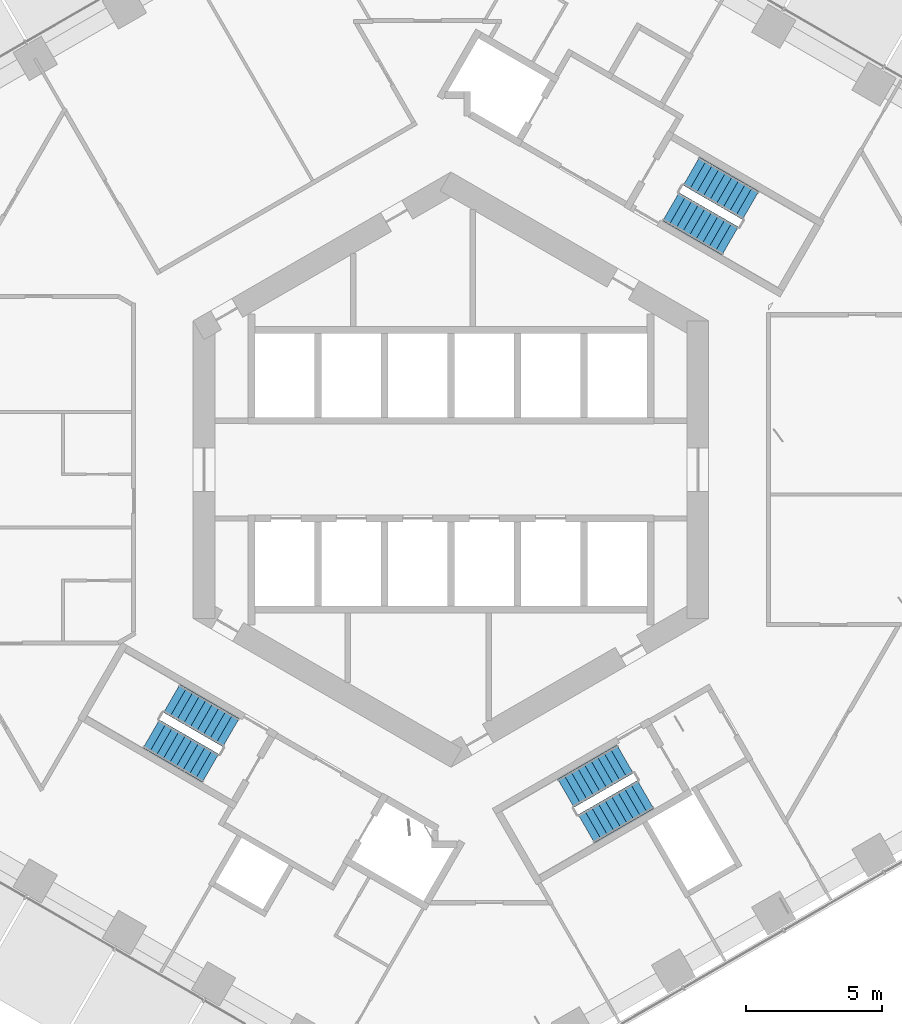
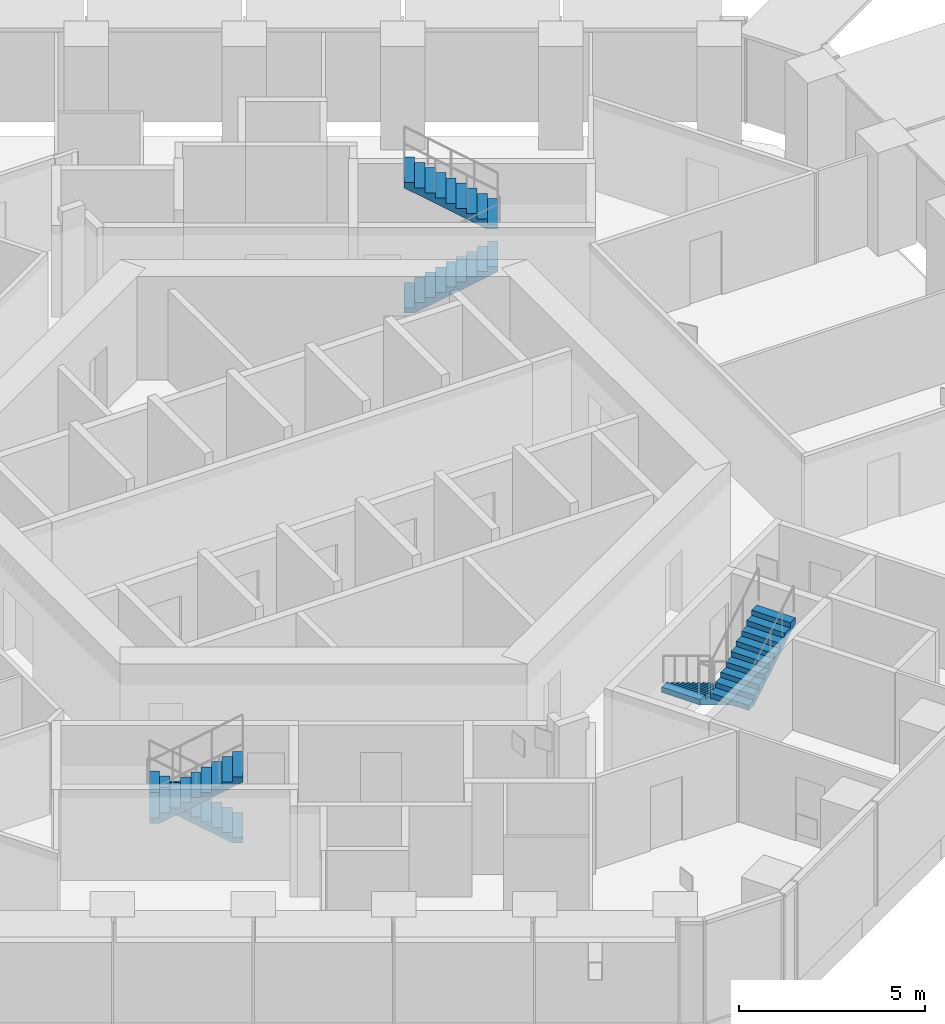
# One storey, part 19 of 22: 6 stair flights, 3 elements without a shape of their own.
"""IFC4 building model written with IfcOpenShell, lengths in metres."""

from ifc_helpers import new_model, si_unit, direction, frame, origin, place, context, subcontext, project, spatial, triangles, material, type_object, element, aggregate, save


model = new_model("IFC4")

# Units and contexts
model_context = context("Model", 3, precision=1e-05, world=origin(), true_north=direction((0.0, 1.0)))
body_context = subcontext(model_context, "Body", "Model", "MODEL_VIEW")
ifc_project = project(units=[si_unit("LENGTHUNIT", "METRE"), si_unit("AREAUNIT", "SQUARE_METRE"), si_unit("VOLUMEUNIT", "CUBIC_METRE"), si_unit("PLANEANGLEUNIT", "RADIAN"), si_unit("MASSUNIT", "GRAM", prefix="KILO")], contexts=[model_context])

# Site, building, storey
site_placement = place(None, origin())
site = spatial("IfcSite", under=ifc_project, at=site_placement, CompositionType="ELEMENT")
building_placement = place(site_placement, origin())
building = spatial("IfcBuilding", under=site, at=building_placement, Name="Ayvan Gate Tower", CompositionType="ELEMENT")
storey_placement = place(building_placement, frame((0.0, 0.0, 62.89990234375)))
storey = spatial("IfcBuildingStorey", under=building, at=storey_placement, Name="L16", CompositionType="ELEMENT", Elevation=62.89990234375)

# Stair, stair flights
ifc_material = material(Name="Concrete C40/50", Category="concrete")
stair_type = type_object("IfcStairType", Name="ST-EXIT", PredefinedType="HALF_TURN_STAIR", material=ifc_material)
stair_1_placement = place(storey_placement, origin())
stair_1 = element("IfcStair", 1, at=stair_1_placement, inside=storey, type_object=stair_type, Name="L16 Exit Stair S1", PredefinedType="HALF_TURN_STAIR")
stair_flight_type = type_object("IfcStairFlightType", Name="SFL-EXIT", PredefinedType="STRAIGHT", material=ifc_material)
stair_flight_1_placement = place(storey_placement, frame((8.106201171875, 9.690185546875, 0.0), z_axis=(0.0, 0.0, 1.0), x_axis=(0.866025403784, -0.5, 0.0)))
stair_flight_1 = element("IfcStairFlight", 2, at=stair_flight_1_placement, type_object=stair_flight_type, Name="STS1 flight 1", NumberOfRisers=10, NumberOfTreads=9, PredefinedType="STRAIGHT", RiserHeight=0.17, TreadLength=0.28, context=body_context, shape_type="Tessellation", body=[
    triangles([(0.288841, -0.599976, 0.0), (2.5205, -0.599976, 1.354936), (2.5205, -0.599976, 1.53), (2.24, -0.599976, 1.53), (2.24, -0.599976, 1.36), (1.96, -0.599976, 1.36), (1.96, -0.599976, 1.19), (1.68, -0.599976, 1.19), (1.68, -0.599976, 1.02), (1.4, -0.599976, 1.02), (1.4, -0.599976, 0.85), (1.12, -0.599976, 0.85), (1.12, -0.599976, 0.68), (0.84, -0.599976, 0.68), (0.84, -0.599976, 0.51), (0.56, -0.599976, 0.51), (0.56, -0.599976, 0.34), (0.28, -0.599976, 0.34), (0.28, -0.599976, 0.17), (-0.0005, -0.599976, 0.17), (-0.0005, -0.599976, 0.0), (0.288841, 0.0, 0.0), (2.5205, 0.0, 1.354936), (2.5205, 0.0, 1.53), (2.24, 0.0, 1.53), (2.24, 0.0, 1.36), (1.96, 0.0, 1.36), (1.96, 0.0, 1.19), (1.68, 0.0, 1.19), (1.68, 0.0, 1.02), (1.4, 0.0, 1.02), (1.4, 0.0, 0.85), (1.12, 0.0, 0.85), (1.12, 0.0, 0.68), (0.84, 0.0, 0.68), (0.84, 0.0, 0.51), (0.56, 0.0, 0.51), (0.56, 0.0, 0.34), (0.28, 0.0, 0.34), (0.28, 0.0, 0.17), (-0.0005, 0.0, 0.17), (-0.0005, 0.0, 0.0), (0.288841, 0.599976, 0.0), (2.5205, 0.599976, 1.354936), (2.5205, 0.599976, 1.53), (2.24, 0.599976, 1.53), (2.24, 0.599976, 1.36), (1.96, 0.599976, 1.36), (1.96, 0.599976, 1.19), (1.68, 0.599976, 1.19), (1.68, 0.599976, 1.02), (1.4, 0.599976, 1.02), (1.4, 0.599976, 0.85), (1.12, 0.599976, 0.85), (1.12, 0.599976, 0.68), (0.84, 0.599976, 0.68), (0.84, 0.599976, 0.51), (0.56, 0.599976, 0.51), (0.56, 0.599976, 0.34), (0.28, 0.599976, 0.34), (0.28, 0.599976, 0.17), (-0.0005, 0.599976, 0.17), (-0.0005, 0.599976, 0.0)], [[21, 1, 2], [63, 44, 43], [2, 3, 4], [44, 46, 45], [2, 4, 5], [44, 47, 46], [2, 5, 6], [44, 48, 47], [2, 6, 7], [44, 49, 48], [7, 8, 9], [49, 51, 50], [2, 7, 9], [44, 51, 49], [9, 10, 11], [51, 53, 52], [2, 9, 11], [44, 53, 51], [11, 12, 13], [53, 55, 54], [2, 11, 13], [44, 55, 53], [13, 14, 15], [55, 57, 56], [2, 13, 15], [44, 57, 55], [15, 16, 17], [57, 59, 58], [2, 15, 17], [44, 59, 57], [17, 18, 19], [59, 61, 60], [2, 17, 19], [44, 61, 59], [21, 2, 19], [63, 61, 44], [19, 20, 21], [61, 63, 62], [1, 22, 23], [1, 23, 2], [43, 23, 22], [43, 44, 23], [2, 23, 24], [2, 24, 3], [44, 24, 23], [44, 45, 24], [3, 24, 25], [3, 25, 4], [45, 25, 24], [45, 46, 25], [4, 25, 26], [4, 26, 5], [46, 26, 25], [46, 47, 26], [5, 26, 27], [5, 27, 6], [47, 27, 26], [47, 48, 27], [6, 27, 28], [6, 28, 7], [48, 28, 27], [48, 49, 28], [7, 28, 29], [7, 29, 8], [49, 29, 28], [49, 50, 29], [8, 29, 30], [8, 30, 9], [50, 30, 29], [50, 51, 30], [9, 30, 31], [9, 31, 10], [51, 31, 30], [51, 52, 31], [10, 31, 32], [10, 32, 11], [52, 32, 31], [52, 53, 32], [11, 32, 33], [11, 33, 12], [53, 33, 32], [53, 54, 33], [12, 33, 34], [12, 34, 13], [54, 34, 33], [54, 55, 34], [13, 34, 35], [13, 35, 14], [55, 35, 34], [55, 56, 35], [14, 35, 36], [14, 36, 15], [56, 36, 35], [56, 57, 36], [15, 36, 37], [15, 37, 16], [57, 37, 36], [57, 58, 37], [16, 37, 38], [16, 38, 17], [58, 38, 37], [58, 59, 38], [17, 38, 39], [17, 39, 18], [59, 39, 38], [59, 60, 39], [18, 39, 40], [18, 40, 19], [60, 40, 39], [60, 61, 40], [19, 40, 41], [19, 41, 20], [61, 41, 40], [61, 62, 41], [20, 41, 42], [20, 42, 21], [62, 42, 41], [62, 63, 42], [21, 42, 22], [21, 22, 1], [63, 22, 42], [63, 43, 22]], closed=True),
])
stair_flight_2_placement = place(storey_placement, frame((11.04345703125, 9.73779296875, 1.7001953125), z_axis=(0.0, 0.0, 1.0), x_axis=(-0.866025403784, 0.5, 0.0)))
stair_flight_2 = element("IfcStairFlight", 3, at=stair_flight_2_placement, type_object=stair_flight_type, Name="STS1 flight 2", NumberOfRisers=10, NumberOfTreads=9, PredefinedType="STRAIGHT", RiserHeight=0.17, TreadLength=0.28, context=body_context, shape_type="Tessellation", body=[
    triangles([(0.288841, -0.599976, 0.0), (2.5205, -0.599976, 1.354936), (2.5205, -0.599976, 1.53), (2.24, -0.599976, 1.53), (2.24, -0.599976, 1.36), (1.96, -0.599976, 1.36), (1.96, -0.599976, 1.19), (1.68, -0.599976, 1.19), (1.68, -0.599976, 1.02), (1.4, -0.599976, 1.02), (1.4, -0.599976, 0.85), (1.12, -0.599976, 0.85), (1.12, -0.599976, 0.68), (0.84, -0.599976, 0.68), (0.84, -0.599976, 0.51), (0.56, -0.599976, 0.51), (0.56, -0.599976, 0.34), (0.28, -0.599976, 0.34), (0.28, -0.599976, 0.17), (-0.0005, -0.599976, 0.17), (-0.0005, -0.599976, 0.0), (0.288841, 0.0, 0.0), (2.5205, 0.0, 1.354936), (2.5205, 0.0, 1.53), (2.24, 0.0, 1.53), (2.24, 0.0, 1.36), (1.96, 0.0, 1.36), (1.96, 0.0, 1.19), (1.68, 0.0, 1.19), (1.68, 0.0, 1.02), (1.4, 0.0, 1.02), (1.4, 0.0, 0.85), (1.12, 0.0, 0.85), (1.12, 0.0, 0.68), (0.84, 0.0, 0.68), (0.84, 0.0, 0.51), (0.56, 0.0, 0.51), (0.56, 0.0, 0.34), (0.28, 0.0, 0.34), (0.28, 0.0, 0.17), (-0.0005, 0.0, 0.17), (-0.0005, 0.0, 0.0), (0.288841, 0.599976, 0.0), (2.5205, 0.599976, 1.354936), (2.5205, 0.599976, 1.53), (2.24, 0.599976, 1.53), (2.24, 0.599976, 1.36), (1.96, 0.599976, 1.36), (1.96, 0.599976, 1.19), (1.68, 0.599976, 1.19), (1.68, 0.599976, 1.02), (1.4, 0.599976, 1.02), (1.4, 0.599976, 0.85), (1.12, 0.599976, 0.85), (1.12, 0.599976, 0.68), (0.84, 0.599976, 0.68), (0.84, 0.599976, 0.51), (0.56, 0.599976, 0.51), (0.56, 0.599976, 0.34), (0.28, 0.599976, 0.34), (0.28, 0.599976, 0.17), (-0.0005, 0.599976, 0.17), (-0.0005, 0.599976, 0.0)], [[21, 1, 2], [63, 44, 43], [2, 3, 4], [44, 46, 45], [2, 4, 5], [44, 47, 46], [2, 5, 6], [44, 48, 47], [2, 6, 7], [44, 49, 48], [7, 8, 9], [49, 51, 50], [2, 7, 9], [44, 51, 49], [9, 10, 11], [51, 53, 52], [2, 9, 11], [44, 53, 51], [11, 12, 13], [53, 55, 54], [2, 11, 13], [44, 55, 53], [13, 14, 15], [55, 57, 56], [2, 13, 15], [44, 57, 55], [15, 16, 17], [57, 59, 58], [2, 15, 17], [44, 59, 57], [17, 18, 19], [59, 61, 60], [2, 17, 19], [44, 61, 59], [21, 2, 19], [63, 61, 44], [19, 20, 21], [61, 63, 62], [1, 22, 23], [1, 23, 2], [43, 23, 22], [43, 44, 23], [2, 23, 24], [2, 24, 3], [44, 24, 23], [44, 45, 24], [3, 24, 25], [3, 25, 4], [45, 25, 24], [45, 46, 25], [4, 25, 26], [4, 26, 5], [46, 26, 25], [46, 47, 26], [5, 26, 27], [5, 27, 6], [47, 27, 26], [47, 48, 27], [6, 27, 28], [6, 28, 7], [48, 28, 27], [48, 49, 28], [7, 28, 29], [7, 29, 8], [49, 29, 28], [49, 50, 29], [8, 29, 30], [8, 30, 9], [50, 30, 29], [50, 51, 30], [9, 30, 31], [9, 31, 10], [51, 31, 30], [51, 52, 31], [10, 31, 32], [10, 32, 11], [52, 32, 31], [52, 53, 32], [11, 32, 33], [11, 33, 12], [53, 33, 32], [53, 54, 33], [12, 33, 34], [12, 34, 13], [54, 34, 33], [54, 55, 34], [13, 34, 35], [13, 35, 14], [55, 35, 34], [55, 56, 35], [14, 35, 36], [14, 36, 15], [56, 36, 35], [56, 57, 36], [15, 36, 37], [15, 37, 16], [57, 37, 36], [57, 58, 37], [16, 37, 38], [16, 38, 17], [58, 38, 37], [58, 59, 38], [17, 38, 39], [17, 39, 18], [59, 39, 38], [59, 60, 39], [18, 39, 40], [18, 40, 19], [60, 40, 39], [60, 61, 40], [19, 40, 41], [19, 41, 20], [61, 41, 40], [61, 62, 41], [20, 41, 42], [20, 42, 21], [62, 42, 41], [62, 63, 42], [21, 42, 22], [21, 22, 1], [63, 22, 42], [63, 43, 22]], closed=True),
])
aggregate(stair_1, [stair_flight_1, stair_flight_2])

stair_2_placement = place(storey_placement, origin())
stair_2 = element("IfcStair", 4, at=stair_2_placement, inside=storey, type_object=stair_type, Name="L16 Exit Stair S2", PredefinedType="HALF_TURN_STAIR")
stair_flight_3_placement = place(storey_placement, frame((-8.106201171875, -9.690185546875, 0.0), z_axis=(0.0, 0.0, 1.0), x_axis=(-0.866025403784, 0.5, 0.0)))
stair_flight_3 = element("IfcStairFlight", 5, at=stair_flight_3_placement, type_object=stair_flight_type, Name="STS2 flight 1", NumberOfRisers=10, NumberOfTreads=9, PredefinedType="STRAIGHT", RiserHeight=0.17, TreadLength=0.28, context=body_context, shape_type="Tessellation", body=[
    triangles([(0.288841, -0.599976, 0.0), (2.5205, -0.599976, 1.354936), (2.5205, -0.599976, 1.53), (2.24, -0.599976, 1.53), (2.24, -0.599976, 1.36), (1.96, -0.599976, 1.36), (1.96, -0.599976, 1.19), (1.68, -0.599976, 1.19), (1.68, -0.599976, 1.02), (1.4, -0.599976, 1.02), (1.4, -0.599976, 0.85), (1.12, -0.599976, 0.85), (1.12, -0.599976, 0.68), (0.84, -0.599976, 0.68), (0.84, -0.599976, 0.51), (0.56, -0.599976, 0.51), (0.56, -0.599976, 0.34), (0.28, -0.599976, 0.34), (0.28, -0.599976, 0.17), (-0.0005, -0.599976, 0.17), (-0.0005, -0.599976, 0.0), (0.288841, 0.0, 0.0), (2.5205, 0.0, 1.354936), (2.5205, 0.0, 1.53), (2.24, 0.0, 1.53), (2.24, 0.0, 1.36), (1.96, 0.0, 1.36), (1.96, 0.0, 1.19), (1.68, 0.0, 1.19), (1.68, 0.0, 1.02), (1.4, 0.0, 1.02), (1.4, 0.0, 0.85), (1.12, 0.0, 0.85), (1.12, 0.0, 0.68), (0.84, 0.0, 0.68), (0.84, 0.0, 0.51), (0.56, 0.0, 0.51), (0.56, 0.0, 0.34), (0.28, 0.0, 0.34), (0.28, 0.0, 0.17), (-0.0005, 0.0, 0.17), (-0.0005, 0.0, 0.0), (0.288841, 0.599976, 0.0), (2.5205, 0.599976, 1.354936), (2.5205, 0.599976, 1.53), (2.24, 0.599976, 1.53), (2.24, 0.599976, 1.36), (1.96, 0.599976, 1.36), (1.96, 0.599976, 1.19), (1.68, 0.599976, 1.19), (1.68, 0.599976, 1.02), (1.4, 0.599976, 1.02), (1.4, 0.599976, 0.85), (1.12, 0.599976, 0.85), (1.12, 0.599976, 0.68), (0.84, 0.599976, 0.68), (0.84, 0.599976, 0.51), (0.56, 0.599976, 0.51), (0.56, 0.599976, 0.34), (0.28, 0.599976, 0.34), (0.28, 0.599976, 0.17), (-0.0005, 0.599976, 0.17), (-0.0005, 0.599976, 0.0)], [[21, 1, 2], [63, 44, 43], [2, 3, 4], [44, 46, 45], [2, 4, 5], [44, 47, 46], [2, 5, 6], [44, 48, 47], [2, 6, 7], [44, 49, 48], [7, 8, 9], [49, 51, 50], [2, 7, 9], [44, 51, 49], [9, 10, 11], [51, 53, 52], [2, 9, 11], [44, 53, 51], [11, 12, 13], [53, 55, 54], [2, 11, 13], [44, 55, 53], [13, 14, 15], [55, 57, 56], [2, 13, 15], [44, 57, 55], [15, 16, 17], [57, 59, 58], [2, 15, 17], [44, 59, 57], [17, 18, 19], [59, 61, 60], [2, 17, 19], [44, 61, 59], [21, 2, 19], [63, 61, 44], [19, 20, 21], [61, 63, 62], [1, 22, 23], [1, 23, 2], [43, 23, 22], [43, 44, 23], [2, 23, 24], [2, 24, 3], [44, 24, 23], [44, 45, 24], [3, 24, 25], [3, 25, 4], [45, 25, 24], [45, 46, 25], [4, 25, 26], [4, 26, 5], [46, 26, 25], [46, 47, 26], [5, 26, 27], [5, 27, 6], [47, 27, 26], [47, 48, 27], [6, 27, 28], [6, 28, 7], [48, 28, 27], [48, 49, 28], [7, 28, 29], [7, 29, 8], [49, 29, 28], [49, 50, 29], [8, 29, 30], [8, 30, 9], [50, 30, 29], [50, 51, 30], [9, 30, 31], [9, 31, 10], [51, 31, 30], [51, 52, 31], [10, 31, 32], [10, 32, 11], [52, 32, 31], [52, 53, 32], [11, 32, 33], [11, 33, 12], [53, 33, 32], [53, 54, 33], [12, 33, 34], [12, 34, 13], [54, 34, 33], [54, 55, 34], [13, 34, 35], [13, 35, 14], [55, 35, 34], [55, 56, 35], [14, 35, 36], [14, 36, 15], [56, 36, 35], [56, 57, 36], [15, 36, 37], [15, 37, 16], [57, 37, 36], [57, 58, 37], [16, 37, 38], [16, 38, 17], [58, 38, 37], [58, 59, 38], [17, 38, 39], [17, 39, 18], [59, 39, 38], [59, 60, 39], [18, 39, 40], [18, 40, 19], [60, 40, 39], [60, 61, 40], [19, 40, 41], [19, 41, 20], [61, 41, 40], [61, 62, 41], [20, 41, 42], [20, 42, 21], [62, 42, 41], [62, 63, 42], [21, 42, 22], [21, 22, 1], [63, 22, 42], [63, 43, 22]], closed=True),
])
stair_flight_4_placement = place(storey_placement, frame((-11.04345703125, -9.73779296875, 1.7001953125), z_axis=(0.0, 0.0, 1.0), x_axis=(0.866025403784, -0.5, 0.0)))
stair_flight_4 = element("IfcStairFlight", 6, at=stair_flight_4_placement, type_object=stair_flight_type, Name="STS2 flight 2", NumberOfRisers=10, NumberOfTreads=9, PredefinedType="STRAIGHT", RiserHeight=0.17, TreadLength=0.28, context=body_context, shape_type="Tessellation", body=[
    triangles([(0.288841, -0.599976, 0.0), (2.5205, -0.599976, 1.354936), (2.5205, -0.599976, 1.53), (2.24, -0.599976, 1.53), (2.24, -0.599976, 1.36), (1.96, -0.599976, 1.36), (1.96, -0.599976, 1.19), (1.68, -0.599976, 1.19), (1.68, -0.599976, 1.02), (1.4, -0.599976, 1.02), (1.4, -0.599976, 0.85), (1.12, -0.599976, 0.85), (1.12, -0.599976, 0.68), (0.84, -0.599976, 0.68), (0.84, -0.599976, 0.51), (0.56, -0.599976, 0.51), (0.56, -0.599976, 0.34), (0.28, -0.599976, 0.34), (0.28, -0.599976, 0.17), (-0.0005, -0.599976, 0.17), (-0.0005, -0.599976, 0.0), (0.288841, 0.0, 0.0), (2.5205, 0.0, 1.354936), (2.5205, 0.0, 1.53), (2.24, 0.0, 1.53), (2.24, 0.0, 1.36), (1.96, 0.0, 1.36), (1.96, 0.0, 1.19), (1.68, 0.0, 1.19), (1.68, 0.0, 1.02), (1.4, 0.0, 1.02), (1.4, 0.0, 0.85), (1.12, 0.0, 0.85), (1.12, 0.0, 0.68), (0.84, 0.0, 0.68), (0.84, 0.0, 0.51), (0.56, 0.0, 0.51), (0.56, 0.0, 0.34), (0.28, 0.0, 0.34), (0.28, 0.0, 0.17), (-0.0005, 0.0, 0.17), (-0.0005, 0.0, 0.0), (0.288841, 0.599976, 0.0), (2.5205, 0.599976, 1.354936), (2.5205, 0.599976, 1.53), (2.24, 0.599976, 1.53), (2.24, 0.599976, 1.36), (1.96, 0.599976, 1.36), (1.96, 0.599976, 1.19), (1.68, 0.599976, 1.19), (1.68, 0.599976, 1.02), (1.4, 0.599976, 1.02), (1.4, 0.599976, 0.85), (1.12, 0.599976, 0.85), (1.12, 0.599976, 0.68), (0.84, 0.599976, 0.68), (0.84, 0.599976, 0.51), (0.56, 0.599976, 0.51), (0.56, 0.599976, 0.34), (0.28, 0.599976, 0.34), (0.28, 0.599976, 0.17), (-0.0005, 0.599976, 0.17), (-0.0005, 0.599976, 0.0)], [[21, 1, 2], [63, 44, 43], [2, 3, 4], [44, 46, 45], [2, 4, 5], [44, 47, 46], [2, 5, 6], [44, 48, 47], [2, 6, 7], [44, 49, 48], [7, 8, 9], [49, 51, 50], [2, 7, 9], [44, 51, 49], [9, 10, 11], [51, 53, 52], [2, 9, 11], [44, 53, 51], [11, 12, 13], [53, 55, 54], [2, 11, 13], [44, 55, 53], [13, 14, 15], [55, 57, 56], [2, 13, 15], [44, 57, 55], [15, 16, 17], [57, 59, 58], [2, 15, 17], [44, 59, 57], [17, 18, 19], [59, 61, 60], [2, 17, 19], [44, 61, 59], [21, 2, 19], [63, 61, 44], [19, 20, 21], [61, 63, 62], [1, 22, 23], [1, 23, 2], [43, 23, 22], [43, 44, 23], [2, 23, 24], [2, 24, 3], [44, 24, 23], [44, 45, 24], [3, 24, 25], [3, 25, 4], [45, 25, 24], [45, 46, 25], [4, 25, 26], [4, 26, 5], [46, 26, 25], [46, 47, 26], [5, 26, 27], [5, 27, 6], [47, 27, 26], [47, 48, 27], [6, 27, 28], [6, 28, 7], [48, 28, 27], [48, 49, 28], [7, 28, 29], [7, 29, 8], [49, 29, 28], [49, 50, 29], [8, 29, 30], [8, 30, 9], [50, 30, 29], [50, 51, 30], [9, 30, 31], [9, 31, 10], [51, 31, 30], [51, 52, 31], [10, 31, 32], [10, 32, 11], [52, 32, 31], [52, 53, 32], [11, 32, 33], [11, 33, 12], [53, 33, 32], [53, 54, 33], [12, 33, 34], [12, 34, 13], [54, 34, 33], [54, 55, 34], [13, 34, 35], [13, 35, 14], [55, 35, 34], [55, 56, 35], [14, 35, 36], [14, 36, 15], [56, 36, 35], [56, 57, 36], [15, 36, 37], [15, 37, 16], [57, 37, 36], [57, 58, 37], [16, 37, 38], [16, 38, 17], [58, 38, 37], [58, 59, 38], [17, 38, 39], [17, 39, 18], [59, 39, 38], [59, 60, 39], [18, 39, 40], [18, 40, 19], [60, 40, 39], [60, 61, 40], [19, 40, 41], [19, 41, 20], [61, 41, 40], [61, 62, 41], [20, 41, 42], [20, 42, 21], [62, 42, 41], [62, 63, 42], [21, 42, 22], [21, 22, 1], [63, 22, 42], [63, 43, 22]], closed=True),
])
aggregate(stair_2, [stair_flight_3, stair_flight_4])

stair_3_placement = place(storey_placement, origin())
stair_3 = element("IfcStair", 7, at=stair_3_placement, inside=storey, type_object=stair_type, Name="L16 Exit Stair S3", PredefinedType="HALF_TURN_STAIR")
stair_flight_5_placement = place(storey_placement, frame((6.417236328125, -10.665283203125, 0.0), z_axis=(0.0, 0.0, 1.0), x_axis=(-0.866025403784, -0.5, 0.0)))
stair_flight_5 = element("IfcStairFlight", 8, at=stair_flight_5_placement, type_object=stair_flight_type, Name="STS3 flight 1", NumberOfRisers=10, NumberOfTreads=9, PredefinedType="STRAIGHT", RiserHeight=0.17, TreadLength=0.28, context=body_context, shape_type="Tessellation", body=[
    triangles([(0.288841, -0.599976, 0.0), (2.5205, -0.599976, 1.354936), (2.5205, -0.599976, 1.53), (2.24, -0.599976, 1.53), (2.24, -0.599976, 1.36), (1.96, -0.599976, 1.36), (1.96, -0.599976, 1.19), (1.68, -0.599976, 1.19), (1.68, -0.599976, 1.02), (1.4, -0.599976, 1.02), (1.4, -0.599976, 0.85), (1.12, -0.599976, 0.85), (1.12, -0.599976, 0.68), (0.84, -0.599976, 0.68), (0.84, -0.599976, 0.51), (0.56, -0.599976, 0.51), (0.56, -0.599976, 0.34), (0.28, -0.599976, 0.34), (0.28, -0.599976, 0.17), (-0.0005, -0.599976, 0.17), (-0.0005, -0.599976, 0.0), (0.288841, 0.0, 0.0), (2.5205, 0.0, 1.354936), (2.5205, 0.0, 1.53), (2.24, 0.0, 1.53), (2.24, 0.0, 1.36), (1.96, 0.0, 1.36), (1.96, 0.0, 1.19), (1.68, 0.0, 1.19), (1.68, 0.0, 1.02), (1.4, 0.0, 1.02), (1.4, 0.0, 0.85), (1.12, 0.0, 0.85), (1.12, 0.0, 0.68), (0.84, 0.0, 0.68), (0.84, 0.0, 0.51), (0.56, 0.0, 0.51), (0.56, 0.0, 0.34), (0.28, 0.0, 0.34), (0.28, 0.0, 0.17), (-0.0005, 0.0, 0.17), (-0.0005, 0.0, 0.0), (0.288841, 0.599976, 0.0), (2.5205, 0.599976, 1.354936), (2.5205, 0.599976, 1.53), (2.24, 0.599976, 1.53), (2.24, 0.599976, 1.36), (1.96, 0.599976, 1.36), (1.96, 0.599976, 1.19), (1.68, 0.599976, 1.19), (1.68, 0.599976, 1.02), (1.4, 0.599976, 1.02), (1.4, 0.599976, 0.85), (1.12, 0.599976, 0.85), (1.12, 0.599976, 0.68), (0.84, 0.599976, 0.68), (0.84, 0.599976, 0.51), (0.56, 0.599976, 0.51), (0.56, 0.599976, 0.34), (0.28, 0.599976, 0.34), (0.28, 0.599976, 0.17), (-0.0005, 0.599976, 0.17), (-0.0005, 0.599976, 0.0)], [[21, 1, 2], [63, 44, 43], [2, 3, 4], [44, 46, 45], [2, 4, 5], [44, 47, 46], [2, 5, 6], [44, 48, 47], [2, 6, 7], [44, 49, 48], [7, 8, 9], [49, 51, 50], [2, 7, 9], [44, 51, 49], [9, 10, 11], [51, 53, 52], [2, 9, 11], [44, 53, 51], [11, 12, 13], [53, 55, 54], [2, 11, 13], [44, 55, 53], [13, 14, 15], [55, 57, 56], [2, 13, 15], [44, 57, 55], [15, 16, 17], [57, 59, 58], [2, 15, 17], [44, 59, 57], [17, 18, 19], [59, 61, 60], [2, 17, 19], [44, 61, 59], [21, 2, 19], [63, 61, 44], [19, 20, 21], [61, 63, 62], [1, 22, 23], [1, 23, 2], [43, 23, 22], [43, 44, 23], [2, 23, 24], [2, 24, 3], [44, 24, 23], [44, 45, 24], [3, 24, 25], [3, 25, 4], [45, 25, 24], [45, 46, 25], [4, 25, 26], [4, 26, 5], [46, 26, 25], [46, 47, 26], [5, 26, 27], [5, 27, 6], [47, 27, 26], [47, 48, 27], [6, 27, 28], [6, 28, 7], [48, 28, 27], [48, 49, 28], [7, 28, 29], [7, 29, 8], [49, 29, 28], [49, 50, 29], [8, 29, 30], [8, 30, 9], [50, 30, 29], [50, 51, 30], [9, 30, 31], [9, 31, 10], [51, 31, 30], [51, 52, 31], [10, 31, 32], [10, 32, 11], [52, 32, 31], [52, 53, 32], [11, 32, 33], [11, 33, 12], [53, 33, 32], [53, 54, 33], [12, 33, 34], [12, 34, 13], [54, 34, 33], [54, 55, 34], [13, 34, 35], [13, 35, 14], [55, 35, 34], [55, 56, 35], [14, 35, 36], [14, 36, 15], [56, 36, 35], [56, 57, 36], [15, 36, 37], [15, 37, 16], [57, 37, 36], [57, 58, 37], [16, 37, 38], [16, 38, 17], [58, 38, 37], [58, 59, 38], [17, 38, 39], [17, 39, 18], [59, 39, 38], [59, 60, 39], [18, 39, 40], [18, 40, 19], [60, 40, 39], [60, 61, 40], [19, 40, 41], [19, 41, 20], [61, 41, 40], [61, 62, 41], [20, 41, 42], [20, 42, 21], [62, 42, 41], [62, 63, 42], [21, 42, 22], [21, 22, 1], [63, 22, 42], [63, 43, 22]], closed=True),
])
stair_flight_6_placement = place(storey_placement, frame((4.989990234375, -13.23291015625, 1.7001953125), z_axis=(0.0, 0.0, 1.0), x_axis=(0.866025403784, 0.5, 0.0)))
stair_flight_6 = element("IfcStairFlight", 9, at=stair_flight_6_placement, type_object=stair_flight_type, Name="STS3 flight 2", NumberOfRisers=10, NumberOfTreads=9, PredefinedType="STRAIGHT", RiserHeight=0.17, TreadLength=0.28, context=body_context, shape_type="Tessellation", body=[
    triangles([(0.288841, -0.599976, 0.0), (2.5205, -0.599976, 1.354936), (2.5205, -0.599976, 1.53), (2.24, -0.599976, 1.53), (2.24, -0.599976, 1.36), (1.96, -0.599976, 1.36), (1.96, -0.599976, 1.19), (1.68, -0.599976, 1.19), (1.68, -0.599976, 1.02), (1.4, -0.599976, 1.02), (1.4, -0.599976, 0.85), (1.12, -0.599976, 0.85), (1.12, -0.599976, 0.68), (0.84, -0.599976, 0.68), (0.84, -0.599976, 0.51), (0.56, -0.599976, 0.51), (0.56, -0.599976, 0.34), (0.28, -0.599976, 0.34), (0.28, -0.599976, 0.17), (-0.0005, -0.599976, 0.17), (-0.0005, -0.599976, 0.0), (0.288841, 0.0, 0.0), (2.5205, 0.0, 1.354936), (2.5205, 0.0, 1.53), (2.24, 0.0, 1.53), (2.24, 0.0, 1.36), (1.96, 0.0, 1.36), (1.96, 0.0, 1.19), (1.68, 0.0, 1.19), (1.68, 0.0, 1.02), (1.4, 0.0, 1.02), (1.4, 0.0, 0.85), (1.12, 0.0, 0.85), (1.12, 0.0, 0.68), (0.84, 0.0, 0.68), (0.84, 0.0, 0.51), (0.56, 0.0, 0.51), (0.56, 0.0, 0.34), (0.28, 0.0, 0.34), (0.28, 0.0, 0.17), (-0.0005, 0.0, 0.17), (-0.0005, 0.0, 0.0), (0.288841, 0.599976, 0.0), (2.5205, 0.599976, 1.354936), (2.5205, 0.599976, 1.53), (2.24, 0.599976, 1.53), (2.24, 0.599976, 1.36), (1.96, 0.599976, 1.36), (1.96, 0.599976, 1.19), (1.68, 0.599976, 1.19), (1.68, 0.599976, 1.02), (1.4, 0.599976, 1.02), (1.4, 0.599976, 0.85), (1.12, 0.599976, 0.85), (1.12, 0.599976, 0.68), (0.84, 0.599976, 0.68), (0.84, 0.599976, 0.51), (0.56, 0.599976, 0.51), (0.56, 0.599976, 0.34), (0.28, 0.599976, 0.34), (0.28, 0.599976, 0.17), (-0.0005, 0.599976, 0.17), (-0.0005, 0.599976, 0.0)], [[21, 1, 2], [63, 44, 43], [2, 3, 4], [44, 46, 45], [2, 4, 5], [44, 47, 46], [2, 5, 6], [44, 48, 47], [2, 6, 7], [44, 49, 48], [7, 8, 9], [49, 51, 50], [2, 7, 9], [44, 51, 49], [9, 10, 11], [51, 53, 52], [2, 9, 11], [44, 53, 51], [11, 12, 13], [53, 55, 54], [2, 11, 13], [44, 55, 53], [13, 14, 15], [55, 57, 56], [2, 13, 15], [44, 57, 55], [15, 16, 17], [57, 59, 58], [2, 15, 17], [44, 59, 57], [17, 18, 19], [59, 61, 60], [2, 17, 19], [44, 61, 59], [21, 2, 19], [63, 61, 44], [19, 20, 21], [61, 63, 62], [1, 22, 23], [1, 23, 2], [43, 23, 22], [43, 44, 23], [2, 23, 24], [2, 24, 3], [44, 24, 23], [44, 45, 24], [3, 24, 25], [3, 25, 4], [45, 25, 24], [45, 46, 25], [4, 25, 26], [4, 26, 5], [46, 26, 25], [46, 47, 26], [5, 26, 27], [5, 27, 6], [47, 27, 26], [47, 48, 27], [6, 27, 28], [6, 28, 7], [48, 28, 27], [48, 49, 28], [7, 28, 29], [7, 29, 8], [49, 29, 28], [49, 50, 29], [8, 29, 30], [8, 30, 9], [50, 30, 29], [50, 51, 30], [9, 30, 31], [9, 31, 10], [51, 31, 30], [51, 52, 31], [10, 31, 32], [10, 32, 11], [52, 32, 31], [52, 53, 32], [11, 32, 33], [11, 33, 12], [53, 33, 32], [53, 54, 33], [12, 33, 34], [12, 34, 13], [54, 34, 33], [54, 55, 34], [13, 34, 35], [13, 35, 14], [55, 35, 34], [55, 56, 35], [14, 35, 36], [14, 36, 15], [56, 36, 35], [56, 57, 36], [15, 36, 37], [15, 37, 16], [57, 37, 36], [57, 58, 37], [16, 37, 38], [16, 38, 17], [58, 38, 37], [58, 59, 38], [17, 38, 39], [17, 39, 18], [59, 39, 38], [59, 60, 39], [18, 39, 40], [18, 40, 19], [60, 40, 39], [60, 61, 40], [19, 40, 41], [19, 41, 20], [61, 41, 40], [61, 62, 41], [20, 41, 42], [20, 42, 21], [62, 42, 41], [62, 63, 42], [21, 42, 22], [21, 22, 1], [63, 22, 42], [63, 43, 22]], closed=True),
])
aggregate(stair_3, [stair_flight_5, stair_flight_6])

save(model, "model.ifc")
